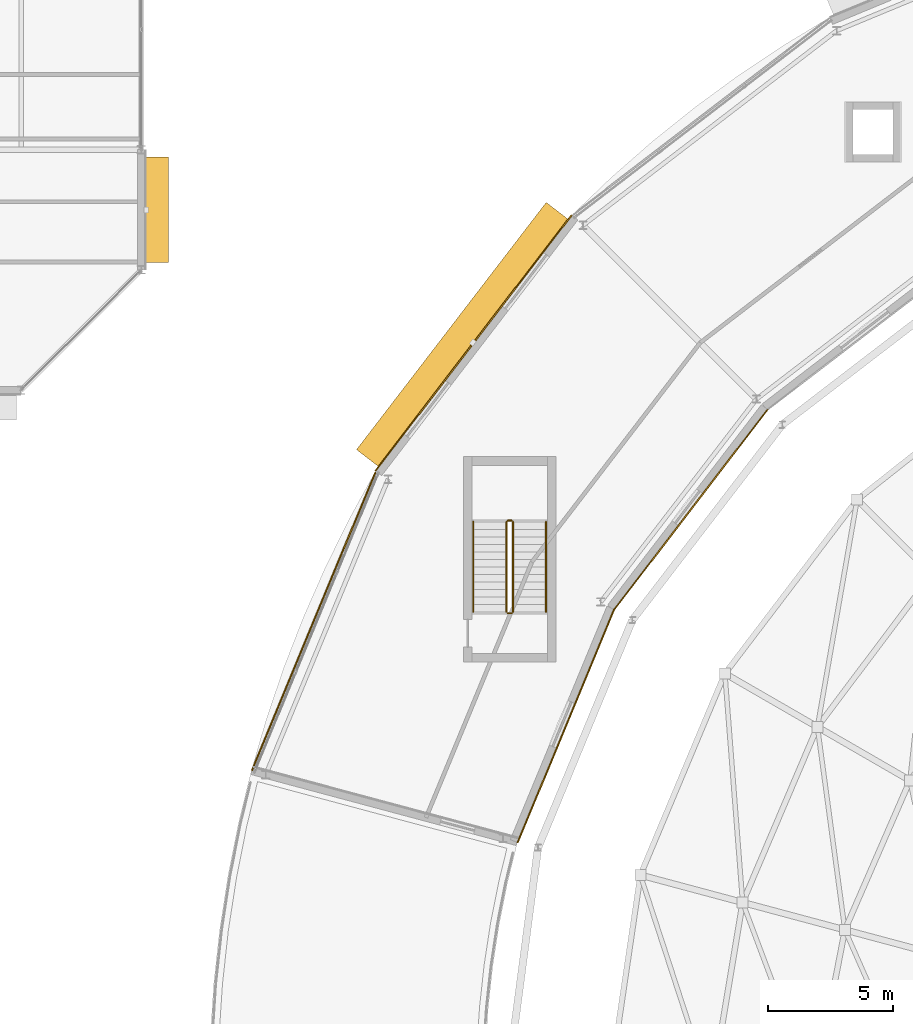
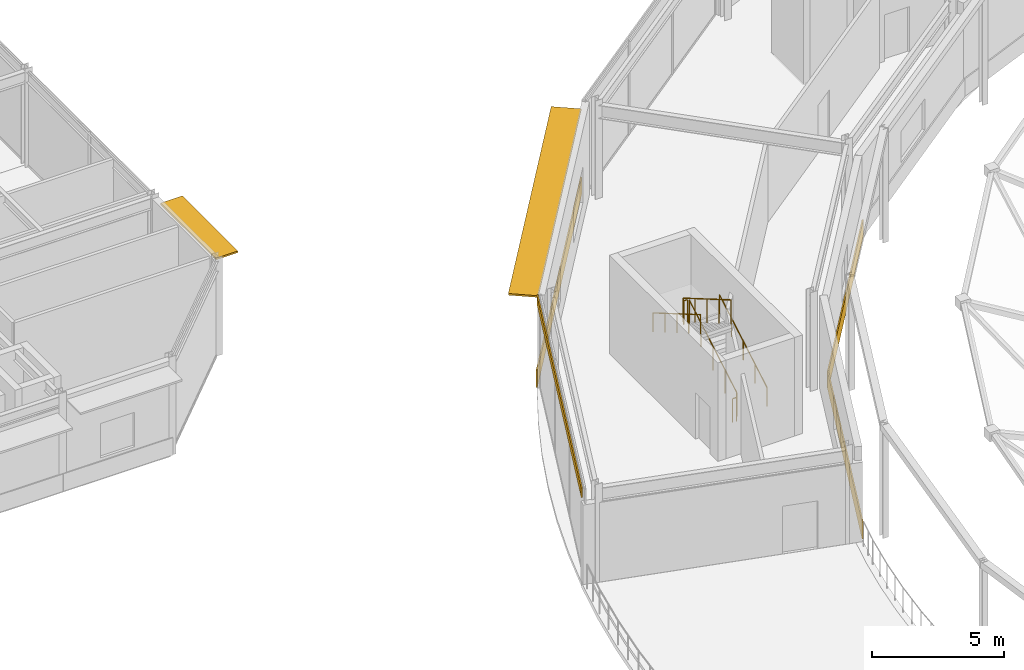
# One storey, part 79 of 89: 6 railings, 4 coverings, 2 shading devices.
"""IFC4 building model written with IfcOpenShell, lengths in metres."""

from ifc_helpers import new_model, si_unit, direction, frame, origin, origin_2d, place, context, subcontext, project, spatial, rectangle, circle, extrude, material, layer, layer_set, type_object, element, save


model = new_model("IFC4")

# Units and contexts
model_context = context("Model", 3, precision=1e-05, world=origin(), true_north=direction((0.0, 1.0)))
body_context = subcontext(model_context, "Body", "Model", "MODEL_VIEW")
ifc_project = project(units=[si_unit("LENGTHUNIT", "METRE"), si_unit("AREAUNIT", "SQUARE_METRE"), si_unit("VOLUMEUNIT", "CUBIC_METRE"), si_unit("PLANEANGLEUNIT", "RADIAN"), si_unit("MASSUNIT", "GRAM", prefix="KILO")], contexts=[model_context])

# Site, building, storey
site_placement = place(None, origin())
site = spatial("IfcSite", under=ifc_project, at=site_placement, CompositionType="ELEMENT")
building_placement = place(site_placement, origin())
building = spatial("IfcBuilding", under=site, at=building_placement, Name="Almandine Court Research Institute", CompositionType="ELEMENT")
storey_placement = place(building_placement, frame((0.0, 0.0, 18.89990234375)))
storey = spatial("IfcBuildingStorey", under=building, at=storey_placement, Name="L04", CompositionType="ELEMENT", Elevation=18.89990234375)

# Coverings
ifc_material_1 = material(Name="Extruded Cream-Ochre Seismic Terracotta Spandrel", Category="masonry")
ifc_layer_1 = layer(ifc_material_1, 0.054931640625)
ifc_layer_set_1 = layer_set([ifc_layer_1], Name="Extruded Cream-Ochre Seismic Terracotta Spandrel")
covering_type = type_object("IfcCoveringType", Name="Cov-CLAD-TERR", PredefinedType="CLADDING", material=ifc_layer_set_1)
covering_1_placement = place(storey_placement, frame((48.055908203125, 85.883056640625, 0.02001953125), z_axis=(0.0, 0.0, 1.0), x_axis=(0.608761429009, 0.793353340291, 0.0)))
element("IfcCovering", 1, at=covering_1_placement, inside=storey, type_object=covering_type, Name="L04 Facade Spandrel Cladding Band 420", PredefinedType="CLADDING", context=body_context, shape_type="SweptSolid", body=[
    extrude(rectangle(XDim=12.867919921875, YDim=0.054931640625, at=origin_2d()), origin(), (0.0, 0.0, 1.0), 0.800048828125),
])
covering_2_placement = place(storey_placement, frame((56.72607421875, 79.22998046875, 0.02001953125), z_axis=(0.0, 0.0, 1.0), x_axis=(-0.608761429009, -0.793353340291, 0.0)))
element("IfcCovering", 2, at=covering_2_placement, inside=storey, type_object=covering_type, Name="L04 Facade Spandrel Cladding Band 421", PredefinedType="CLADDING", context=body_context, shape_type="SweptSolid", body=[
    extrude(rectangle(XDim=10.080078125, YDim=0.054931640625, at=origin_2d()), origin(), (0.0, 0.0, 1.0), 0.800048828125),
])
covering_3_placement = place(storey_placement, frame((41.676025390625, 74.77392578125, 3.920166015625), z_axis=(0.0, 0.0, 1.0), x_axis=(0.382683432365, 0.923879532511, 0.0)))
element("IfcCovering", 3, at=covering_3_placement, inside=storey, type_object=covering_type, Name="L04 Drum Stacked Terracotta Ring Band 10", PredefinedType="CLADDING", context=body_context, shape_type="SweptSolid", body=[
    extrude(rectangle(XDim=12.8779296875, YDim=0.054931640625, at=origin_2d()), origin(), (0.0, 0.0, 1.0), 0.419921875),
])
covering_4_placement = place(storey_placement, frame((51.74609375, 70.60302734375, 0.02001953125), z_axis=(0.0, 0.0, 1.0), x_axis=(-0.382683432365, -0.923879532511, 0.0)))
element("IfcCovering", 4, at=covering_4_placement, inside=storey, type_object=covering_type, Name="L04 Facade Spandrel Cladding Band 423", PredefinedType="CLADDING", context=body_context, shape_type="SweptSolid", body=[
    extrude(rectangle(XDim=10.080078125, YDim=0.054931640625, at=origin_2d()), origin(), (0.0, 0.0, 1.0), 0.800048828125),
])

# Railings
ifc_material_2 = material(Name="Powder-Coated Steel Stair and Atrium Balustrade", Category="steel")
railing_type_1 = type_object("IfcRailingType", Name="Rail-GUARD-INT", PredefinedType="BALUSTRADE", material=ifc_material_2)
railing_1_placement = place(storey_placement, frame((49.6298828125, 75.14990234375, 0.175048828125)))
element("IfcRailing", 5, at=railing_1_placement, inside=storey, type_object=railing_type_1, Name="L04 ST-15 stair guard 1", PredefinedType="BALUSTRADE", context=body_context, shape_type="SweptSolid", body=[
    extrude(circle(Radius=0.02392578125, at=origin_2d()), frame((0.0, 0.0, 1.09619140625), z_axis=(0.0, 0.863774651768, 0.503878309678), x_axis=(-1.0, 0.0, 0.0)), (0.0, 0.0, 1.0), 4.16796875),
    extrude(circle(Radius=0.02099609375, at=origin_2d()), origin(), (0.0, 0.0, 1.0), 1.072021484375),
    extrude(circle(Radius=0.02099609375, at=origin_2d()), frame((0.0, 0.89990234375, 0.52490234375)), (0.0, 0.0, 1.0), 1.072021484375),
    extrude(circle(Radius=0.02099609375, at=origin_2d()), frame((0.0, 1.800048828125, 1.050048828125)), (0.0, 0.0, 1.0), 1.072021484375),
    extrude(circle(Radius=0.02099609375, at=origin_2d()), frame((0.0, 2.7001953125, 1.5751953125)), (0.0, 0.0, 1.0), 1.072021484375),
    extrude(circle(Radius=0.02099609375, at=origin_2d()), frame((0.0, 3.60009765625, 2.10009765625)), (0.0, 0.0, 1.0), 1.072021484375),
])
railing_2_placement = place(storey_placement, frame((49.580078125, 78.800048828125, 2.275146484375)))
element("IfcRailing", 6, at=railing_2_placement, inside=storey, type_object=railing_type_1, Name="L04 ST-15 stair guard 2", PredefinedType="BALUSTRADE", context=body_context, shape_type="SweptSolid", body=[
    extrude(circle(Radius=0.02392578125, at=origin_2d()), frame((0.0, 0.0, 1.09619140625), z_axis=(-1.0, 0.0, 0.0), x_axis=(0.0, -1.0, 0.0)), (0.0, 0.0, 1.0), 0.16015625),
    extrude(circle(Radius=0.02099609375, at=origin_2d()), origin(), (0.0, 0.0, 1.0), 1.072021484375),
    extrude(circle(Radius=0.02099609375, at=origin_2d()), frame((-0.16015625, 0.0, 0.0)), (0.0, 0.0, 1.0), 1.072021484375),
])
railing_3_placement = place(storey_placement, frame((49.3701171875, 78.75, 2.4501953125)))
element("IfcRailing", 7, at=railing_3_placement, inside=storey, type_object=railing_type_1, Name="L04 ST-15 stair guard 3", PredefinedType="BALUSTRADE", context=body_context, shape_type="SweptSolid", body=[
    extrude(circle(Radius=0.02392578125, at=origin_2d()), frame((0.0, 0.0, 1.09619140625), z_axis=(0.0, -0.863800146258, 0.503834603144), x_axis=(1.0, 0.0, 0.0)), (0.0, 0.0, 1.0), 4.167724609375),
    extrude(circle(Radius=0.02099609375, at=origin_2d()), origin(), (0.0, 0.0, 1.0), 1.072021484375),
    extrude(circle(Radius=0.02099609375, at=origin_2d()), frame((0.0, -0.89990234375, 0.52490234375)), (0.0, 0.0, 1.0), 1.072021484375),
    extrude(circle(Radius=0.02099609375, at=origin_2d()), frame((0.0, -1.800048828125, 1.0498046875)), (0.0, 0.0, 1.0), 1.072021484375),
    extrude(circle(Radius=0.02099609375, at=origin_2d()), frame((0.0, -2.7001953125, 1.574951171875)), (0.0, 0.0, 1.0), 1.072021484375),
    extrude(circle(Radius=0.02099609375, at=origin_2d()), frame((0.0, -3.60009765625, 2.099853515625)), (0.0, 0.0, 1.0), 1.072021484375),
])
railing_4_placement = place(storey_placement, frame((49.580078125, 75.10009765625, 0.0)))
element("IfcRailing", 8, at=railing_4_placement, inside=storey, type_object=railing_type_1, Name="L04 ST-15 stair guard 4", PredefinedType="BALUSTRADE", context=body_context, shape_type="SweptSolid", body=[
    extrude(circle(Radius=0.02392578125, at=origin_2d()), frame((0.0, 0.0, 1.09619140625), z_axis=(-1.0, 0.0, 0.0), x_axis=(0.0, -1.0, 0.0)), (0.0, 0.0, 1.0), 0.16015625),
    extrude(circle(Radius=0.02099609375, at=origin_2d()), origin(), (0.0, 0.0, 1.0), 1.072021484375),
    extrude(circle(Radius=0.02099609375, at=origin_2d()), frame((-0.16015625, 0.0, 0.0)), (0.0, 0.0, 1.0), 1.072021484375),
])
ifc_material_3 = material(Name="Brushed Stainless Steel Wall Handrail", Category="steel")
railing_type_2 = type_object("IfcRailingType", Name="Rail-HAND-INT", PredefinedType="HANDRAIL", material=ifc_material_3)
railing_5_placement = place(storey_placement, frame((50.949951171875, 75.14990234375, 0.175048828125)))
element("IfcRailing", 9, at=railing_5_placement, inside=storey, type_object=railing_type_2, Name="L04 ST-15 stair handrail 1", PredefinedType="HANDRAIL", context=body_context, shape_type="SweptSolid", body=[
    extrude(circle(Radius=0.02392578125, at=origin_2d()), frame((0.0, 0.0, 0.8759765625), z_axis=(0.0, 0.863774651768, 0.503878309678), x_axis=(-1.0, 0.0, 0.0)), (0.0, 0.0, 1.0), 4.16796875),
    extrude(circle(Radius=0.02099609375, at=origin_2d()), origin(), (0.0, 0.0, 1.0), 0.851806640625),
    extrude(circle(Radius=0.02099609375, at=origin_2d()), frame((0.0, 0.89990234375, 0.52490234375)), (0.0, 0.0, 1.0), 0.851806640625),
    extrude(circle(Radius=0.02099609375, at=origin_2d()), frame((0.0, 1.800048828125, 1.050048828125)), (0.0, 0.0, 1.0), 0.851806640625),
    extrude(circle(Radius=0.02099609375, at=origin_2d()), frame((0.0, 2.7001953125, 1.5751953125)), (0.0, 0.0, 1.0), 0.851806640625),
    extrude(circle(Radius=0.02099609375, at=origin_2d()), frame((0.0, 3.60009765625, 2.10009765625)), (0.0, 0.0, 1.0), 0.851806640625),
])
railing_6_placement = place(storey_placement, frame((48.050048828125, 78.75, 2.4501953125)))
element("IfcRailing", 10, at=railing_6_placement, inside=storey, type_object=railing_type_2, Name="L04 ST-15 stair handrail 2", PredefinedType="HANDRAIL", context=body_context, shape_type="SweptSolid", body=[
    extrude(circle(Radius=0.02392578125, at=origin_2d()), frame((0.0, 0.0, 0.8759765625), z_axis=(0.0, -0.863800146258, 0.503834603144), x_axis=(1.0, 0.0, 0.0)), (0.0, 0.0, 1.0), 4.167724609375),
    extrude(circle(Radius=0.02099609375, at=origin_2d()), origin(), (0.0, 0.0, 1.0), 0.851806640625),
    extrude(circle(Radius=0.02099609375, at=origin_2d()), frame((0.0, -0.89990234375, 0.52490234375)), (0.0, 0.0, 1.0), 0.851806640625),
    extrude(circle(Radius=0.02099609375, at=origin_2d()), frame((0.0, -1.800048828125, 1.0498046875)), (0.0, 0.0, 1.0), 0.851806640625),
    extrude(circle(Radius=0.02099609375, at=origin_2d()), frame((0.0, -2.7001953125, 1.574951171875)), (0.0, 0.0, 1.0), 0.851806640625),
    extrude(circle(Radius=0.02099609375, at=origin_2d()), frame((0.0, -3.60009765625, 2.099853515625)), (0.0, 0.0, 1.0), 0.851806640625),
])

# Shading devices
ifc_material_4 = material(Name="Precast GFRC Chhajja Sunshade and Acoustic Louvre", Category="concrete")
ifc_layer_2 = layer(ifc_material_4, 0.080078125)
ifc_layer_set_2 = layer_set([ifc_layer_2], Name="Precast GFRC Chhajja Sunshade and Acoustic Louvre")
shading_device_type_1 = type_object("IfcShadingDeviceType", Name="Shd-SD-32", PredefinedType="AWNING", material=ifc_layer_set_2)
shading_device_1_placement = place(storey_placement, frame((35.409912109375, 91.199951171875, 4.090087890625), z_axis=(0.0, 0.0, 1.0), x_axis=(0.0, -1.0, 0.0)))
element("IfcShadingDevice", 11, at=shading_device_1_placement, inside=storey, type_object=shading_device_type_1, Name="L04 Projecting Chhajja Sunshade 47", PredefinedType="AWNING", context=body_context, shape_type="SweptSolid", body=[
    extrude(rectangle(XDim=4.201904296875, YDim=0.949951171875, at=origin_2d()), origin(), (0.0, 0.0, 1.0), 0.080078125),
])
ifc_layer_3 = layer(ifc_material_4, 0.080078125)
ifc_layer_set_3 = layer_set([ifc_layer_3], Name="Precast GFRC Chhajja Sunshade and Acoustic Louvre")
shading_device_type_2 = type_object("IfcShadingDeviceType", Name="Shd-SD-64", PredefinedType="AWNING", material=ifc_layer_set_3)
shading_device_2_placement = place(storey_placement, frame((47.6279296875, 86.2119140625, 4.030029296875), z_axis=(0.0, 0.0, 1.0), x_axis=(0.608761429009, 0.793353340291, 0.0)))
element("IfcShadingDevice", 12, at=shading_device_2_placement, inside=storey, type_object=shading_device_type_2, Name="L04 Projecting Chhajja Sunshade 189", PredefinedType="AWNING", context=body_context, shape_type="SweptSolid", body=[
    extrude(rectangle(XDim=12.43798828125, YDim=1.14990234375, at=origin_2d()), origin(), (0.0, 0.0, 1.0), 0.080078125),
])

save(model, "model.ifc")
